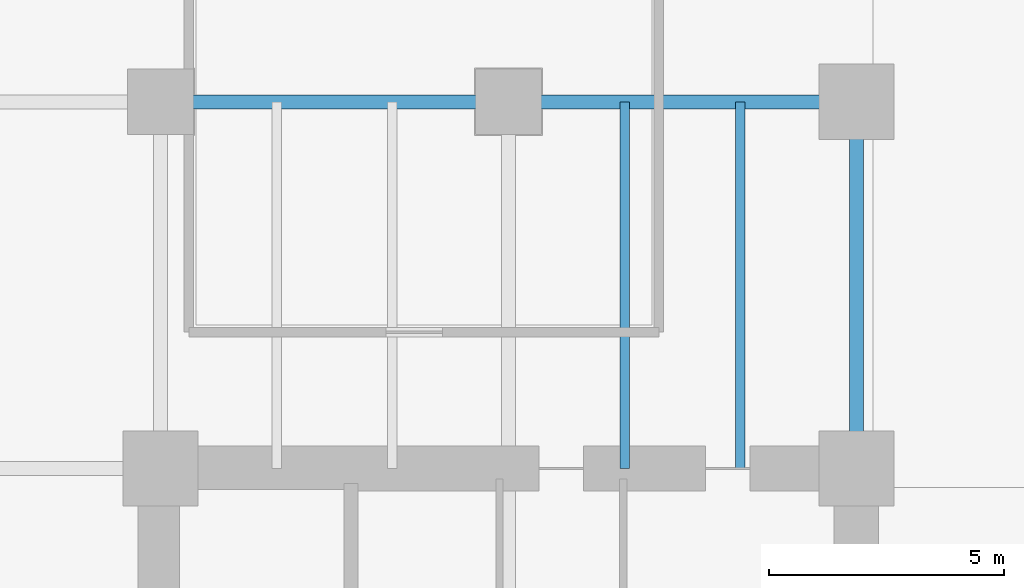
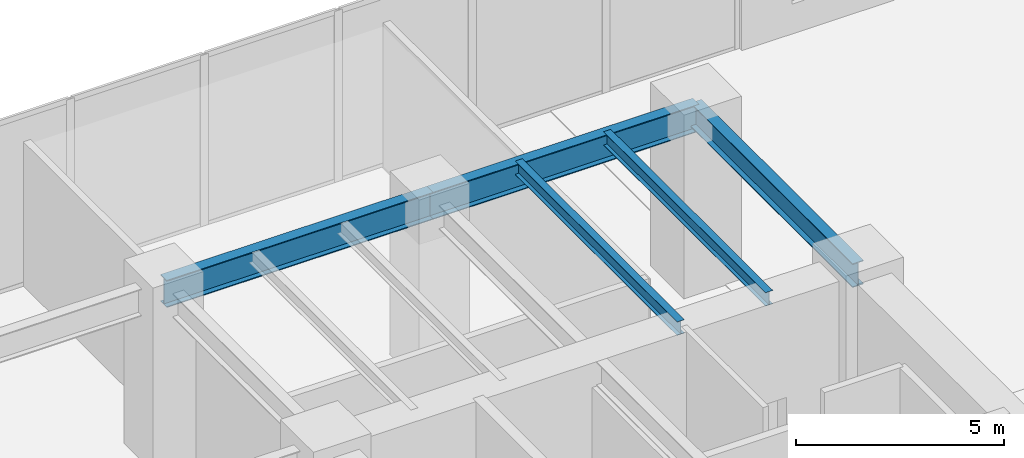
# One storey, part 10 of 28: 5 beams.
"""IFC4 building model written with IfcOpenShell, lengths in metres."""

import ifcopenshell
import ifcopenshell.guid

model = None  # the IFC model being written
_history = None  # IfcOwnerHistory: only IFC2X3 demands one
_inside = {}  # id of a spatial element -> (the spatial element, [elements in it])
_under = {}  # id of a project, library or spatial element -> (it, [spatial elements below it])
_declared = {}  # id of a project -> (the project, [libraries it declares])
_typed = {}  # id of a type object -> (the type object, [elements of that type])
_made_of = {}  # id of a material, layer set ... -> (it, [elements and type objects made of it])


def new_model(schema):
    """Start an empty IFC model of exactly this schema.

    Asked for "IFC4X3", IfcOpenShell would pick the latest addendum, in which some entities
    have other attributes; the version numbers below select the first issue.
    IFC2X3 requires an IfcOwnerHistory on every rooted entity: one is made here for all.
    """
    global model, _history
    if schema == "IFC4X3":
        model = ifcopenshell.file(schema_version=(4, 3, 0, 0))
    else:
        model = ifcopenshell.file(schema=schema)
    _inside.clear()
    _under.clear()
    _declared.clear()
    _typed.clear()
    _made_of.clear()
    _history = None
    if model.schema == "IFC2X3":
        org = make("IfcOrganization", Name="unknown")
        user = make(
            "IfcPersonAndOrganization",
            ThePerson=make("IfcPerson", FamilyName="unknown"),
            TheOrganization=org,
        )
        app = make(
            "IfcApplication",
            ApplicationDeveloper=org,
            Version="unknown",
            ApplicationFullName="unknown",
            ApplicationIdentifier="unknown",
        )
        _history = make(
            "IfcOwnerHistory",
            OwningUser=user,
            OwningApplication=app,
            ChangeAction="ADDED",
            CreationDate=0,
        )
    return model


def make(cls, **values):
    """One entity of the class cls with the attributes given. An attribute that is None is left unset."""
    return model.create_entity(
        cls, **{name: value for name, value in values.items() if value is not None}
    )


def rooted(cls, **values):
    """An entity with a GlobalId (a new one), such as an element, a storey or a relation."""
    return make(cls, GlobalId=ifcopenshell.guid.new(), OwnerHistory=_history, **values)


def si_unit(unit_type, name, prefix=None):
    """IfcSIUnit, for example si_unit("LENGTHUNIT", "METRE", prefix="MILLI")."""
    return make("IfcSIUnit", UnitType=unit_type, Prefix=prefix, Name=name)


def assignment(units):
    """IfcUnitAssignment: the units of a project."""
    return None if units is None else make("IfcUnitAssignment", Units=units)


def point(xyz):
    """IfcCartesianPoint."""
    return None if xyz is None else make("IfcCartesianPoint", Coordinates=xyz)


def direction(xyz):
    """IfcDirection."""
    return None if xyz is None else make("IfcDirection", DirectionRatios=xyz)


def frame(location, z_axis=None, x_axis=None):
    """IfcAxis2Placement3D, a coordinate frame: its origin and axes. An axis left out is left unset."""
    return make(
        "IfcAxis2Placement3D",
        Location=point(location),
        Axis=direction(z_axis),
        RefDirection=direction(x_axis),
    )


def frame_2d(location, x_axis=None):
    """IfcAxis2Placement2D, a coordinate frame in the plane: its origin and x axis."""
    return make(
        "IfcAxis2Placement2D", Location=point(location), RefDirection=direction(x_axis)
    )


def origin():
    """The frame at (0, 0, 0) with its axes left unset."""
    return frame((0.0, 0.0, 0.0))


def origin_2d():
    """The frame at (0, 0) in the plane with its x axis left unset."""
    return frame_2d((0.0, 0.0))


def place(relative_to, where):
    """IfcLocalPlacement: puts the frame where relative to a parent placement (None: the world)."""
    return make(
        "IfcLocalPlacement", PlacementRelTo=relative_to, RelativePlacement=where
    )


def context(
    kind, dimensions, precision=None, world=None, true_north=None, identifier=None
):
    """IfcGeometricRepresentationContext, for example the 3D "Model" context."""
    return make(
        "IfcGeometricRepresentationContext",
        ContextIdentifier=identifier,
        ContextType=kind,
        CoordinateSpaceDimension=dimensions,
        Precision=precision,
        WorldCoordinateSystem=world,
        TrueNorth=true_north,
    )


def subcontext(parent, identifier, kind, view, scale=None):
    """IfcGeometricRepresentationSubContext, for example "Body" below "Model"."""
    return make(
        "IfcGeometricRepresentationSubContext",
        ContextIdentifier=identifier,
        ContextType=kind,
        ParentContext=parent,
        TargetScale=scale,
        TargetView=view,
    )


def project(units=None, contexts=None):
    """IfcProject with its units and contexts."""
    return rooted(
        "IfcProject",
        Name="project",
        RepresentationContexts=contexts,
        UnitsInContext=assignment(units),
    )


def spatial(cls, under=None, at=None, **own):
    """A site, building, storey or space (cls), placed at a placement, below another one or the project."""
    s = rooted(cls, ObjectPlacement=at, **own)
    if under is not None:
        _under.setdefault(under.id(), (under, []))[1].append(s)
    return s


def profile(cls, at=None, kind="AREA", **sizes):
    """A parametric profile (cls). Its sizes go by their IFC names, for example OverallWidth=200.0."""
    return make(cls, ProfileType=kind, Position=at, **sizes)


def i_section(**sizes):
    """IfcIShapeProfileDef."""
    return profile("IfcIShapeProfileDef", **sizes)


def extrude(swept, where, along, depth):
    """IfcExtrudedAreaSolid: the profile swept, set in the frame where, extruded along a direction by depth."""
    return make(
        "IfcExtrudedAreaSolid",
        SweptArea=swept,
        Position=where,
        ExtrudedDirection=direction(along),
        Depth=depth,
    )


def shape(context_of_items, identifier, shape_type, items):
    """IfcShapeRepresentation: the items that make up one representation, for example the "Body"."""
    return make(
        "IfcShapeRepresentation",
        ContextOfItems=context_of_items,
        RepresentationIdentifier=identifier,
        RepresentationType=shape_type,
        Items=items,
    )


def source(mapping_origin, context_of_items, identifier, shape_type, items):
    """IfcRepresentationMap: a shape defined once, which mapped items show again and again."""
    return make(
        "IfcRepresentationMap",
        MappingOrigin=mapping_origin,
        MappedRepresentation=shape(context_of_items, identifier, shape_type, items),
    )


def transform(
    local_origin,
    x_axis=None,
    y_axis=None,
    z_axis=None,
    scale=None,
    scale2=None,
    scale3=None,
    uniform=True,
):
    """IfcCartesianTransformationOperator3D, or its non-uniform kind. x_axis, y_axis, z_axis: its Axis1, 2, 3."""
    if uniform:
        return make(
            "IfcCartesianTransformationOperator3D",
            Axis1=direction(x_axis),
            Axis2=direction(y_axis),
            LocalOrigin=point(local_origin),
            Scale=scale,
            Axis3=direction(z_axis),
        )
    return make(
        "IfcCartesianTransformationOperator3DnonUniform",
        Axis1=direction(x_axis),
        Axis2=direction(y_axis),
        LocalOrigin=point(local_origin),
        Scale=scale,
        Axis3=direction(z_axis),
        Scale2=scale2,
        Scale3=scale3,
    )


def mapped(mapping_source, mapping_target):
    """IfcMappedItem: shows the shape of a source again, moved by a transform."""
    return make(
        "IfcMappedItem", MappingSource=mapping_source, MappingTarget=mapping_target
    )


def material(Name=None, Category=None):
    """IfcMaterial."""
    return make("IfcMaterial", Name=Name, Category=Category)


def material_profile(
    of_material, cross_section, Name=None, Category=None, Priority=None
):
    """IfcMaterialProfile: a cross section and its material."""
    return make(
        "IfcMaterialProfile",
        Name=Name,
        Material=of_material,
        Profile=cross_section,
        Priority=Priority,
        Category=Category,
    )


def profile_set(profiles, Name=None, composite=None):
    """IfcMaterialProfileSet."""
    return make(
        "IfcMaterialProfileSet",
        Name=Name,
        MaterialProfiles=profiles,
        CompositeProfile=composite,
    )


def made_of(thing, what):
    """Note that an element or type object is made of a material, layer set ...; save() writes the relation."""
    if what is not None:
        _made_of.setdefault(what.id(), (what, []))[1].append(thing)
    return thing


def type_object(cls, material=None, **own):
    """A type object (cls), such as IfcWallType, which elements share."""
    return made_of(rooted(cls, **own), material)


def type_shapes(of_type, sources):
    """Give a type object the sources (RepresentationMaps) that its elements show as mapped items."""
    of_type.RepresentationMaps = sources


def element(
    cls,
    number,
    at=None,
    inside=None,
    cuts=None,
    type_object=None,
    material=None,
    context=None,
    identifier="Body",
    shape_type=None,
    held_by="IfcProductDefinitionShape",
    body=None,
    shapes=None,
    **own,
):
    """One element of the class cls, such as IfcWall. Its Tag is "e" and its number.

    at: its placement. inside: the storey or other place that contains it. cuts: it is an
    opening in that element (IfcRelVoidsElement). A single representation is given by context,
    identifier, shape_type and body (its items); several are given by shapes. held_by: the class
    of the entity that holds the representations. save() writes the other relations.
    """
    e = rooted(cls, Tag="e%d" % number, ObjectPlacement=at, **own)
    if body is not None:
        shapes = [shape(context, identifier, shape_type, body)]
    if shapes is not None:
        e.Representation = make(held_by, Representations=shapes)
    if inside is not None:
        _inside.setdefault(inside.id(), (inside, []))[1].append(e)
    if cuts is not None:
        rooted(
            "IfcRelVoidsElement", RelatingBuildingElement=cuts, RelatedOpeningElement=e
        )
    if type_object is not None:
        _typed.setdefault(type_object.id(), (type_object, []))[1].append(e)
    return made_of(e, material)


def aggregate(whole, parts):
    """IfcRelAggregates: a whole, such as a stair, and the parts it consists of."""
    return rooted("IfcRelAggregates", RelatingObject=whole, RelatedObjects=parts)


def save(model, path):
    """Write the relations noted so far, then the file.

    IfcRelAggregates (storeys below a building ...), IfcRelContainedInSpatialStructure (elements
    in a storey), IfcRelDefinesByType, IfcRelAssociatesMaterial and IfcRelDeclares: one each for
    every whole, place, type object, material and project.
    """
    for whole, parts in _under.values():
        aggregate(whole, parts)
    for where, things in _inside.values():
        rooted(
            "IfcRelContainedInSpatialStructure",
            RelatedElements=things,
            RelatingStructure=where,
        )
    for kind, things in _typed.values():
        rooted("IfcRelDefinesByType", RelatedObjects=things, RelatingType=kind)
    for what, things in _made_of.values():
        rooted("IfcRelAssociatesMaterial", RelatedObjects=things, RelatingMaterial=what)
    for by, libraries in _declared.values():
        rooted("IfcRelDeclares", RelatingContext=by, RelatedDefinitions=libraries)
    model.write(path)


model = new_model("IFC4")

# Units and contexts
model_context = context("Model", 3, precision=1e-05, world=origin(), true_north=direction((0.0, 1.0)))
body_context = subcontext(model_context, "Body", "Model", "MODEL_VIEW")
ifc_project = project(units=[si_unit("LENGTHUNIT", "METRE"), si_unit("AREAUNIT", "SQUARE_METRE"), si_unit("VOLUMEUNIT", "CUBIC_METRE"), si_unit("PLANEANGLEUNIT", "RADIAN"), si_unit("MASSUNIT", "GRAM", prefix="KILO")], contexts=[model_context])

# Site, building, storey
site_placement = place(None, origin())
site = spatial("IfcSite", under=ifc_project, at=site_placement, CompositionType="ELEMENT")
building_placement = place(site_placement, origin())
building = spatial("IfcBuilding", under=site, at=building_placement, Name="Haelvirn Gate Laboratories", CompositionType="ELEMENT")
storey_placement = place(building_placement, origin())
storey = spatial("IfcBuildingStorey", under=building, at=storey_placement, Name="L01", CompositionType="ELEMENT", Elevation=0.0)

# Beams
ifc_material_1 = material(Name="Steel SM420", Category="steel")
ifc_material_profile_1 = material_profile(ifc_material_1, i_section(OverallWidth=0.300048828125, OverallDepth=0.800048828125, WebThickness=0.013916015625, FlangeThickness=0.02587890625, at=origin_2d()), Name="H-800x300x14x26")
ifc_profile_set_1 = profile_set([ifc_material_profile_1], Name="Steel SM420")
beam_type_1 = type_object("IfcBeamType", Name="BM-G-800", PredefinedType="BEAM", material=ifc_profile_set_1)
shared_shape_1 = source(origin(), body_context, "Body", "SweptSolid", [
    extrude(i_section(OverallWidth=0.300048828125, OverallDepth=0.800048828125, WebThickness=0.013916015625, FlangeThickness=0.02587890625, at=origin_2d()), origin(), (0.0, 0.0, 1.0), 7.400146484375),
])
beam_1_placement = place(storey_placement, frame((7.39990234375, 41.60009765625, 4.64990234375), z_axis=(1.0, 0.0, 0.0), x_axis=(0.0, 1.0, 0.0)))
element("IfcBeam", 1, at=beam_1_placement, inside=storey, type_object=beam_type_1, Name="L01 Primary Girder Y41.6 (7.4-14.8)", PredefinedType="BEAM", context=body_context, shape_type="MappedRepresentation", body=[
    mapped(shared_shape_1, transform((0.0, 0.0, 0.0), scale=1.0)),
])
shared_shape_2 = source(origin(), body_context, "Body", "SweptSolid", [
    extrude(i_section(OverallWidth=0.300048828125, OverallDepth=0.800048828125, WebThickness=0.013916015625, FlangeThickness=0.02587890625, at=origin_2d()), origin(), (0.0, 0.0, 1.0), 7.39990234375),
])
type_shapes(beam_type_1, [shared_shape_1, shared_shape_2])
beam_2_placement = place(storey_placement, frame((14.800048828125, 41.60009765625, 4.64990234375), z_axis=(1.0, 0.0, 0.0), x_axis=(0.0, 1.0, 0.0)))
element("IfcBeam", 2, at=beam_2_placement, inside=storey, type_object=beam_type_1, Name="L01 Primary Girder Y41.6 (14.8-22.2)", PredefinedType="BEAM", context=body_context, shape_type="MappedRepresentation", body=[
    mapped(shared_shape_2, transform((0.0, 0.0, 0.0), scale=1.0)),
])
ifc_material_2 = material(Name="Steel SM355", Category="steel")
ifc_material_profile_2 = material_profile(ifc_material_2, i_section(OverallWidth=0.199951171875, OverallDepth=0.39990234375, WebThickness=0.008056640625, FlangeThickness=0.012939453125, at=origin_2d()), Name="H-400x200x8x13")
ifc_profile_set_2 = profile_set([ifc_material_profile_2], Name="Steel SM355")
beam_type_2 = type_object("IfcBeamType", Name="BM-J-400", PredefinedType="JOIST", material=ifc_profile_set_2)
shared_shape_3 = source(origin(), body_context, "Body", "SweptSolid", [
    extrude(i_section(OverallWidth=0.199951171875, OverallDepth=0.39990234375, WebThickness=0.008056640625, FlangeThickness=0.012939453125, at=origin_2d()), origin(), (0.0, 0.0, 1.0), 7.800048828125),
])
type_shapes(beam_type_2, [shared_shape_3])
for number, where, z_axis, x_axis, name in (
    (3, (17.27001953125, 33.800048828125, 4.85009765625), (0.0, 1.0, 0.0), (-1.0, 0.0, 0.0), "L01 Composite Lab Joist North X17.27"),
    (4, (19.72998046875, 33.800048828125, 4.85009765625), (0.0, 1.0, 0.0), (-1.0, 0.0, 0.0), "L01 Composite Lab Joist North X19.73"),
):
    element("IfcBeam", number, at=place(storey_placement, frame(where, z_axis=z_axis, x_axis=x_axis)), inside=storey, type_object=beam_type_2, Name=name, PredefinedType="JOIST", context=body_context, shape_type="MappedRepresentation", body=[
        mapped(shared_shape_3, transform((0.0, 0.0, 0.0), scale=1.0)),
    ])
ifc_material_profile_3 = material_profile(ifc_material_2, i_section(OverallWidth=0.300048828125, OverallDepth=0.699951171875, WebThickness=0.012939453125, FlangeThickness=0.02392578125, at=origin_2d()), Name="H-700x300x13x24")
ifc_profile_set_3 = profile_set([ifc_material_profile_3], Name="Steel SM355")
beam_type_3 = type_object("IfcBeamType", Name="BM-G-700", PredefinedType="BEAM", material=ifc_profile_set_3)
shared_shape_4 = source(origin(), body_context, "Body", "SweptSolid", [
    extrude(i_section(OverallWidth=0.300048828125, OverallDepth=0.699951171875, WebThickness=0.012939453125, FlangeThickness=0.02392578125, at=origin_2d()), origin(), (0.0, 0.0, 1.0), 7.800048828125),
])
type_shapes(beam_type_3, [shared_shape_4])
beam_3_placement = place(storey_placement, frame((22.199951171875, 33.800048828125, 4.699951171875), z_axis=(0.0, 1.0, 0.0), x_axis=(-1.0, 0.0, 0.0)))
element("IfcBeam", 5, at=beam_3_placement, inside=storey, type_object=beam_type_3, Name="L01 Frame Girder X22.2 (33.8-41.6)", PredefinedType="BEAM", context=body_context, shape_type="MappedRepresentation", body=[
    mapped(shared_shape_4, transform((0.0, 0.0, 0.0), scale=1.0)),
])

save(model, "model.ifc")
